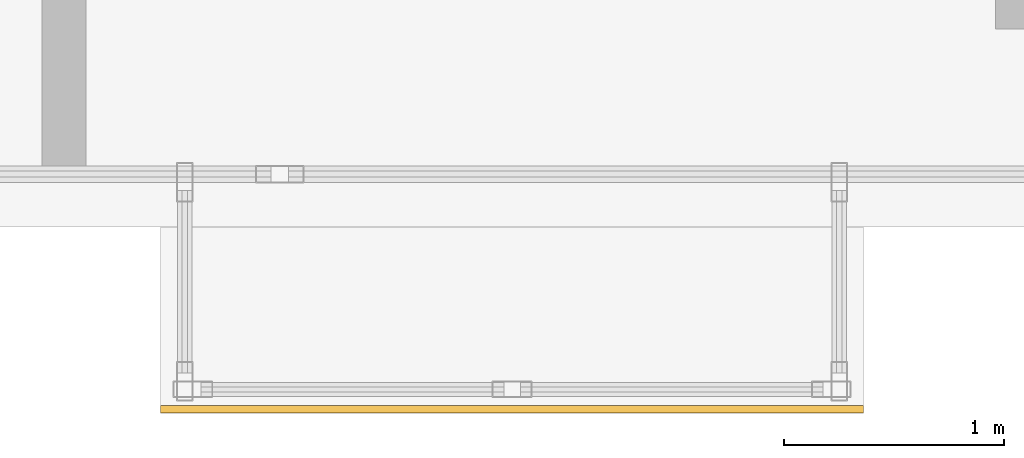
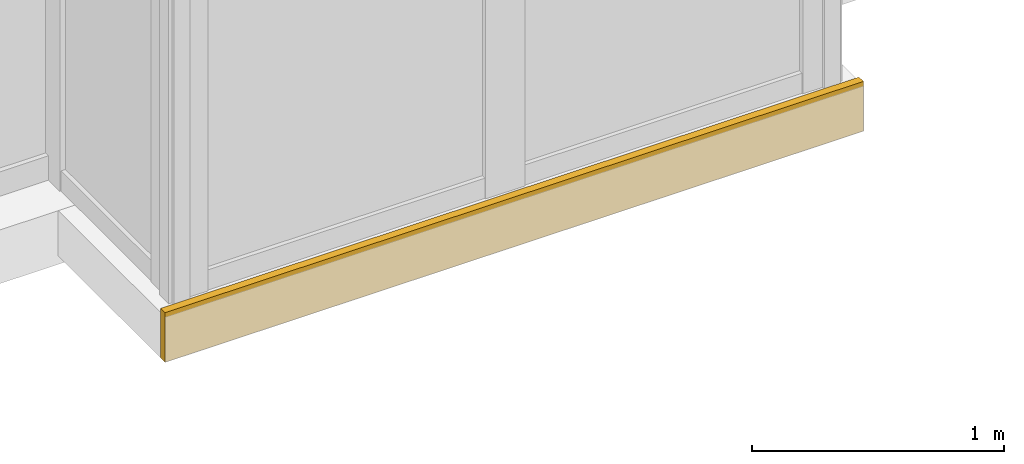
# One storey, part 27 of 28: 1 covering.
"""IFC4 building model written with IfcOpenShell, lengths in metres."""

import ifcopenshell
import ifcopenshell.guid

model = None  # the IFC model being written
_history = None  # IfcOwnerHistory: only IFC2X3 demands one
_inside = {}  # id of a spatial element -> (the spatial element, [elements in it])
_under = {}  # id of a project, library or spatial element -> (it, [spatial elements below it])
_declared = {}  # id of a project -> (the project, [libraries it declares])
_typed = {}  # id of a type object -> (the type object, [elements of that type])
_made_of = {}  # id of a material, layer set ... -> (it, [elements and type objects made of it])


def new_model(schema):
    """Start an empty IFC model of exactly this schema.

    Asked for "IFC4X3", IfcOpenShell would pick the latest addendum, in which some entities
    have other attributes; the version numbers below select the first issue.
    IFC2X3 requires an IfcOwnerHistory on every rooted entity: one is made here for all.
    """
    global model, _history
    if schema == "IFC4X3":
        model = ifcopenshell.file(schema_version=(4, 3, 0, 0))
    else:
        model = ifcopenshell.file(schema=schema)
    _inside.clear()
    _under.clear()
    _declared.clear()
    _typed.clear()
    _made_of.clear()
    _history = None
    if model.schema == "IFC2X3":
        org = make("IfcOrganization", Name="unknown")
        user = make(
            "IfcPersonAndOrganization",
            ThePerson=make("IfcPerson", FamilyName="unknown"),
            TheOrganization=org,
        )
        app = make(
            "IfcApplication",
            ApplicationDeveloper=org,
            Version="unknown",
            ApplicationFullName="unknown",
            ApplicationIdentifier="unknown",
        )
        _history = make(
            "IfcOwnerHistory",
            OwningUser=user,
            OwningApplication=app,
            ChangeAction="ADDED",
            CreationDate=0,
        )
    return model


def make(cls, **values):
    """One entity of the class cls with the attributes given. An attribute that is None is left unset."""
    return model.create_entity(
        cls, **{name: value for name, value in values.items() if value is not None}
    )


def rooted(cls, **values):
    """An entity with a GlobalId (a new one), such as an element, a storey or a relation."""
    return make(cls, GlobalId=ifcopenshell.guid.new(), OwnerHistory=_history, **values)


def si_unit(unit_type, name, prefix=None):
    """IfcSIUnit, for example si_unit("LENGTHUNIT", "METRE", prefix="MILLI")."""
    return make("IfcSIUnit", UnitType=unit_type, Prefix=prefix, Name=name)


def assignment(units):
    """IfcUnitAssignment: the units of a project."""
    return None if units is None else make("IfcUnitAssignment", Units=units)


def point(xyz):
    """IfcCartesianPoint."""
    return None if xyz is None else make("IfcCartesianPoint", Coordinates=xyz)


def direction(xyz):
    """IfcDirection."""
    return None if xyz is None else make("IfcDirection", DirectionRatios=xyz)


def frame(location, z_axis=None, x_axis=None):
    """IfcAxis2Placement3D, a coordinate frame: its origin and axes. An axis left out is left unset."""
    return make(
        "IfcAxis2Placement3D",
        Location=point(location),
        Axis=direction(z_axis),
        RefDirection=direction(x_axis),
    )


def frame_2d(location, x_axis=None):
    """IfcAxis2Placement2D, a coordinate frame in the plane: its origin and x axis."""
    return make(
        "IfcAxis2Placement2D", Location=point(location), RefDirection=direction(x_axis)
    )


def origin():
    """The frame at (0, 0, 0) with its axes left unset."""
    return frame((0.0, 0.0, 0.0))


def origin_2d():
    """The frame at (0, 0) in the plane with its x axis left unset."""
    return frame_2d((0.0, 0.0))


def place(relative_to, where):
    """IfcLocalPlacement: puts the frame where relative to a parent placement (None: the world)."""
    return make(
        "IfcLocalPlacement", PlacementRelTo=relative_to, RelativePlacement=where
    )


def context(
    kind, dimensions, precision=None, world=None, true_north=None, identifier=None
):
    """IfcGeometricRepresentationContext, for example the 3D "Model" context."""
    return make(
        "IfcGeometricRepresentationContext",
        ContextIdentifier=identifier,
        ContextType=kind,
        CoordinateSpaceDimension=dimensions,
        Precision=precision,
        WorldCoordinateSystem=world,
        TrueNorth=true_north,
    )


def subcontext(parent, identifier, kind, view, scale=None):
    """IfcGeometricRepresentationSubContext, for example "Body" below "Model"."""
    return make(
        "IfcGeometricRepresentationSubContext",
        ContextIdentifier=identifier,
        ContextType=kind,
        ParentContext=parent,
        TargetScale=scale,
        TargetView=view,
    )


def project(units=None, contexts=None):
    """IfcProject with its units and contexts."""
    return rooted(
        "IfcProject",
        Name="project",
        RepresentationContexts=contexts,
        UnitsInContext=assignment(units),
    )


def spatial(cls, under=None, at=None, **own):
    """A site, building, storey or space (cls), placed at a placement, below another one or the project."""
    s = rooted(cls, ObjectPlacement=at, **own)
    if under is not None:
        _under.setdefault(under.id(), (under, []))[1].append(s)
    return s


def profile(cls, at=None, kind="AREA", **sizes):
    """A parametric profile (cls). Its sizes go by their IFC names, for example OverallWidth=200.0."""
    return make(cls, ProfileType=kind, Position=at, **sizes)


def rectangle(**sizes):
    """IfcRectangleProfileDef."""
    return profile("IfcRectangleProfileDef", **sizes)


def extrude(swept, where, along, depth):
    """IfcExtrudedAreaSolid: the profile swept, set in the frame where, extruded along a direction by depth."""
    return make(
        "IfcExtrudedAreaSolid",
        SweptArea=swept,
        Position=where,
        ExtrudedDirection=direction(along),
        Depth=depth,
    )


def shape(context_of_items, identifier, shape_type, items):
    """IfcShapeRepresentation: the items that make up one representation, for example the "Body"."""
    return make(
        "IfcShapeRepresentation",
        ContextOfItems=context_of_items,
        RepresentationIdentifier=identifier,
        RepresentationType=shape_type,
        Items=items,
    )


def material(Name=None, Category=None):
    """IfcMaterial."""
    return make("IfcMaterial", Name=Name, Category=Category)


def layer(
    of_material, thickness, ventilated=None, Name=None, Category=None, Priority=None
):
    """IfcMaterialLayer: one layer of a wall or slab, of a material (None: an air gap)."""
    return make(
        "IfcMaterialLayer",
        Material=of_material,
        LayerThickness=thickness,
        IsVentilated=ventilated,
        Name=Name,
        Category=Category,
        Priority=Priority,
    )


def layer_set(layers, Name=None):
    """IfcMaterialLayerSet."""
    return make("IfcMaterialLayerSet", MaterialLayers=layers, LayerSetName=Name)


def made_of(thing, what):
    """Note that an element or type object is made of a material, layer set ...; save() writes the relation."""
    if what is not None:
        _made_of.setdefault(what.id(), (what, []))[1].append(thing)
    return thing


def type_object(cls, material=None, **own):
    """A type object (cls), such as IfcWallType, which elements share."""
    return made_of(rooted(cls, **own), material)


def element(
    cls,
    number,
    at=None,
    inside=None,
    cuts=None,
    type_object=None,
    material=None,
    context=None,
    identifier="Body",
    shape_type=None,
    held_by="IfcProductDefinitionShape",
    body=None,
    shapes=None,
    **own,
):
    """One element of the class cls, such as IfcWall. Its Tag is "e" and its number.

    at: its placement. inside: the storey or other place that contains it. cuts: it is an
    opening in that element (IfcRelVoidsElement). A single representation is given by context,
    identifier, shape_type and body (its items); several are given by shapes. held_by: the class
    of the entity that holds the representations. save() writes the other relations.
    """
    e = rooted(cls, Tag="e%d" % number, ObjectPlacement=at, **own)
    if body is not None:
        shapes = [shape(context, identifier, shape_type, body)]
    if shapes is not None:
        e.Representation = make(held_by, Representations=shapes)
    if inside is not None:
        _inside.setdefault(inside.id(), (inside, []))[1].append(e)
    if cuts is not None:
        rooted(
            "IfcRelVoidsElement", RelatingBuildingElement=cuts, RelatedOpeningElement=e
        )
    if type_object is not None:
        _typed.setdefault(type_object.id(), (type_object, []))[1].append(e)
    return made_of(e, material)


def aggregate(whole, parts):
    """IfcRelAggregates: a whole, such as a stair, and the parts it consists of."""
    return rooted("IfcRelAggregates", RelatingObject=whole, RelatedObjects=parts)


def save(model, path):
    """Write the relations noted so far, then the file.

    IfcRelAggregates (storeys below a building ...), IfcRelContainedInSpatialStructure (elements
    in a storey), IfcRelDefinesByType, IfcRelAssociatesMaterial and IfcRelDeclares: one each for
    every whole, place, type object, material and project.
    """
    for whole, parts in _under.values():
        aggregate(whole, parts)
    for where, things in _inside.values():
        rooted(
            "IfcRelContainedInSpatialStructure",
            RelatedElements=things,
            RelatingStructure=where,
        )
    for kind, things in _typed.values():
        rooted("IfcRelDefinesByType", RelatedObjects=things, RelatingType=kind)
    for what, things in _made_of.values():
        rooted("IfcRelAssociatesMaterial", RelatedObjects=things, RelatingMaterial=what)
    for by, libraries in _declared.values():
        rooted("IfcRelDeclares", RelatingContext=by, RelatedDefinitions=libraries)
    model.write(path)


model = new_model("IFC4")

# Units and contexts
model_context = context("Model", 3, precision=1e-05, world=origin(), true_north=direction((0.0, 1.0)))
body_context = subcontext(model_context, "Body", "Model", "MODEL_VIEW")
ifc_project = project(units=[si_unit("LENGTHUNIT", "METRE"), si_unit("AREAUNIT", "SQUARE_METRE"), si_unit("VOLUMEUNIT", "CUBIC_METRE"), si_unit("PLANEANGLEUNIT", "RADIAN"), si_unit("MASSUNIT", "GRAM", prefix="KILO")], contexts=[model_context])

# Site, building, storey
site_placement = place(None, origin())
site = spatial("IfcSite", under=ifc_project, at=site_placement, CompositionType="ELEMENT")
building_placement = place(site_placement, origin())
building = spatial("IfcBuilding", under=site, at=building_placement, Name="Kolvaren Waterfront Exchange", CompositionType="ELEMENT")
storey_placement = place(building_placement, frame((0.0, 0.0, 114.5)))
storey = spatial("IfcBuildingStorey", under=building, at=storey_placement, Name="L29", CompositionType="ELEMENT", Elevation=114.5)

# Covering
ifc_material = material(Name="Anodised bronze fascia aluminium", Category="aluminium")
ifc_layer = layer(ifc_material, 0.034912109375, Name="Anodised bronze fascia aluminium")
ifc_layer_set = layer_set([ifc_layer], Name="Anodised bronze fascia aluminium")
covering_type = type_object("IfcCoveringType", Name="ARC-CLAD-BRONZE-35", PredefinedType="CLADDING", material=ifc_layer_set)
covering_placement = place(storey_placement, frame((33.89990234375, 2.77001953125, -0.22021484375), z_axis=(0.0, 0.0, 1.0), x_axis=(1.0, 0.0, 0.0)))
element("IfcCovering", 1, at=covering_placement, inside=storey, type_object=covering_type, Name="L29 ribbed anodised bronze bay-box fascia", PredefinedType="CLADDING", context=body_context, shape_type="SweptSolid", body=[
    extrude(rectangle(XDim=3.199951171875, YDim=0.034912109375, at=origin_2d()), origin(), (0.0, 0.0, 1.0), 0.239990234375),
])

save(model, "model.ifc")
